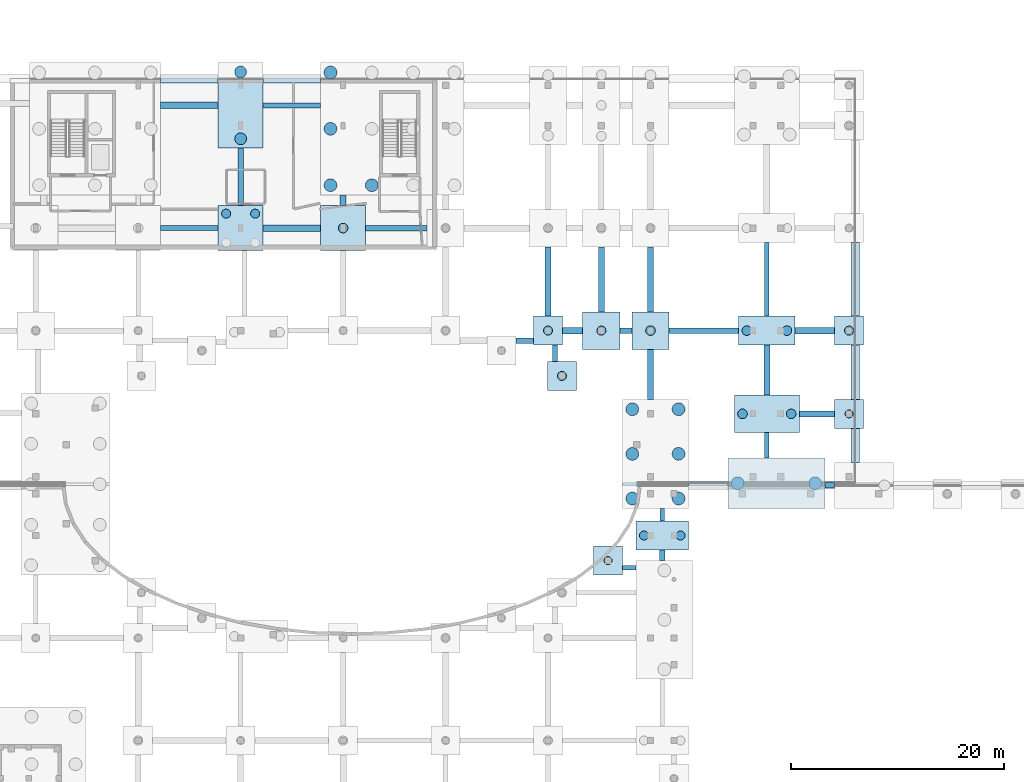
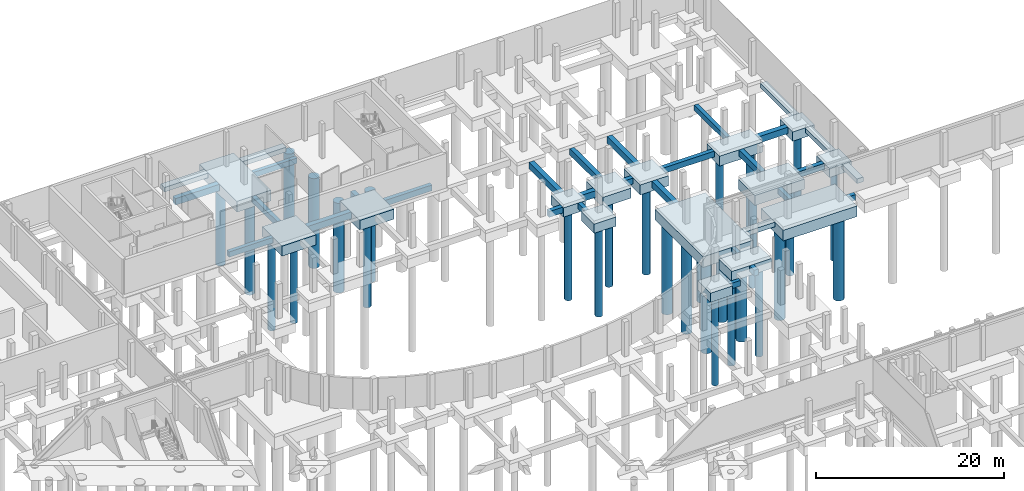
# One storey, part 8 of 40: 46 footings, 30 piles.
"""IFC4 building model written with IfcOpenShell, lengths in metres."""

from ifc_helpers import new_model, si_unit, direction, frame, origin, origin_2d, place, context, subcontext, project, spatial, polyline, circle, outline, extrude, material, material_profile, profile_set, type_object, element, save


model = new_model("IFC4")

# Units and contexts
model_context = context("Model", 3, precision=1e-05, world=origin(), true_north=direction((0.0, 1.0)))
body_context = subcontext(model_context, "Body", "Model", "MODEL_VIEW")
ifc_project = project(units=[si_unit("LENGTHUNIT", "METRE"), si_unit("AREAUNIT", "SQUARE_METRE"), si_unit("VOLUMEUNIT", "CUBIC_METRE"), si_unit("PLANEANGLEUNIT", "RADIAN"), si_unit("MASSUNIT", "GRAM", prefix="KILO")], contexts=[model_context])

# Site, building, storey
site_placement = place(None, origin())
site = spatial("IfcSite", under=ifc_project, at=site_placement, CompositionType="ELEMENT")
building_placement = place(site_placement, origin())
building = spatial("IfcBuilding", under=site, at=building_placement, Name="Mzevani Central Library", CompositionType="ELEMENT")
storey_placement = place(building_placement, frame((0.0, 0.0, -4.5)))
storey = spatial("IfcBuildingStorey", under=building, at=storey_placement, Name="B1", CompositionType="ELEMENT", Elevation=-4.5)

# Piles
ifc_material = material(Name="Concrete C40/50", Category="concrete")
ifc_material_profile_1 = material_profile(ifc_material, circle(Radius=0.550048828125, at=origin_2d()), Name="PILE D1100")
ifc_profile_set_1 = profile_set([ifc_material_profile_1], Name="Concrete C40/50")
pile_type_1 = type_object("IfcPileType", Name="Bored Pile D1100", PredefinedType="BORED", material=ifc_profile_set_1)
for number, where, z_axis, x_axis, name in (
    (1, (73.60009765625, 108.3701171875, -1.719970703125), (0.0, 0.0, -1.0), (1.0, 0.0, 0.0), "B1 Bored Pile P-05 (173)"),
    (2, (73.60009765625, 114.6298828125, -1.719970703125), (0.0, 0.0, -1.0), (1.0, 0.0, 0.0), "B1 Bored Pile P-05 (174)"),
):
    element("IfcPile", number, at=place(storey_placement, frame(where, z_axis=z_axis, x_axis=x_axis)), inside=storey, type_object=pile_type_1, Name=name, PredefinedType="BORED", context=body_context, shape_type="SweptSolid", body=[
        extrude(circle(Radius=0.550048828125, at=origin_2d()), origin(), (0.0, 0.0, 1.0), 11.780029296875),
    ])
ifc_material_profile_2 = material_profile(ifc_material, circle(Radius=0.60009765625, at=origin_2d()), Name="PILE D1200")
ifc_profile_set_2 = profile_set([ifc_material_profile_2], Name="Concrete C40/50")
pile_type_2 = type_object("IfcPileType", Name="Bored Pile D1200", PredefinedType="BORED", material=ifc_profile_set_2)
for number, where, z_axis, x_axis, name in (
    (3, (110.299072265625, 74.669921875, -1.719970703125), (0.0, 0.0, -1.0), (1.0, 0.0, 0.0), "B1 Bored Pile P-06 (61)"),
    (4, (110.299072265625, 78.85009765625, -1.719970703125), (0.0, 0.0, -1.0), (1.0, 0.0, 0.0), "B1 Bored Pile P-06 (62)"),
    (5, (110.299072265625, 83.030029296875, -1.719970703125), (0.0, 0.0, -1.0), (1.0, 0.0, 0.0), "B1 Bored Pile P-06 (63)"),
    (6, (114.6298828125, 74.669921875, -1.719970703125), (0.0, 0.0, -1.0), (1.0, 0.0, 0.0), "B1 Bored Pile P-06 (64)"),
    (7, (114.6298828125, 78.85009765625, -1.719970703125), (0.0, 0.0, -1.0), (1.0, 0.0, 0.0), "B1 Bored Pile P-06 (65)"),
    (8, (114.6298828125, 83.030029296875, -1.719970703125), (0.0, 0.0, -1.0), (1.0, 0.0, 0.0), "B1 Bored Pile P-06 (66)"),
    (9, (120.169921875, 76.10009765625, -1.719970703125), (0.0, 0.0, -1.0), (1.0, 0.0, 0.0), "B1 Bored Pile P-06 (77)"),
    (10, (127.429931640625, 76.10009765625, -1.719970703125), (0.0, 0.0, -1.0), (1.0, 0.0, 0.0), "B1 Bored Pile P-06 (78)"),
):
    element("IfcPile", number, at=place(storey_placement, frame(where, z_axis=z_axis, x_axis=x_axis)), inside=storey, type_object=pile_type_2, Name=name, PredefinedType="BORED", context=body_context, shape_type="SweptSolid", body=[
        extrude(circle(Radius=0.60009765625, at=origin_2d()), origin(), (0.0, 0.0, 1.0), 11.780029296875),
    ])
for number, where, z_axis, x_axis, name in (
    (11, (82.02001953125, 104.02001953125, -1.820068359375), (0.0, 0.0, -1.0), (1.0, 0.0, 0.0), "B1 Bored Pile P-06 (177)"),
    (12, (82.02001953125, 109.300048828125, -1.820068359375), (0.0, 0.0, -1.0), (1.0, 0.0, 0.0), "B1 Bored Pile P-06 (178)"),
    (13, (82.02001953125, 114.580078125, -1.820068359375), (0.0, 0.0, -1.0), (1.0, 0.0, 0.0), "B1 Bored Pile P-06 (179)"),
    (14, (85.889892578125, 104.02001953125, -1.820068359375), (0.0, 0.0, -1.0), (1.0, 0.0, 0.0), "B1 Bored Pile P-06 (180)"),
):
    element("IfcPile", number, at=place(storey_placement, frame(where, z_axis=z_axis, x_axis=x_axis)), inside=storey, type_object=pile_type_2, Name=name, PredefinedType="BORED", context=body_context, shape_type="SweptSolid", body=[
        extrude(circle(Radius=0.60009765625, at=origin_2d()), origin(), (0.0, 0.0, 1.0), 11.679931640625),
    ])
ifc_material_profile_3 = material_profile(ifc_material, circle(Radius=0.375, at=origin_2d()), Name="PILE D750")
ifc_profile_set_3 = profile_set([ifc_material_profile_3], Name="Concrete C40/50")
pile_type_3 = type_object("IfcPileType", Name="Bored Pile D750", PredefinedType="BORED", material=ifc_profile_set_3)
for number, where, z_axis, x_axis, name in (
    (15, (108.02392578125, 68.85107421875, -1.52001953125), (0.0, 0.0, -1.0), (1.0, 0.0, 0.0), "B1 Bored Pile P-01 (94)"),
    (16, (130.60009765625, 82.60009765625, -1.52001953125), (0.0, 0.0, -1.0), (1.0, 0.0, 0.0), "B1 Bored Pile P-01 (214)"),
):
    element("IfcPile", number, at=place(storey_placement, frame(where, z_axis=z_axis, x_axis=x_axis)), inside=storey, type_object=pile_type_3, Name=name, PredefinedType="BORED", context=body_context, shape_type="SweptSolid", body=[
        extrude(circle(Radius=0.375, at=origin_2d()), origin(), (0.0, 0.0, 1.0), 11.97998046875),
    ])
ifc_material_profile_4 = material_profile(ifc_material, circle(Radius=0.425048828125, at=origin_2d()), Name="PILE D850")
ifc_profile_set_4 = profile_set([ifc_material_profile_4], Name="Concrete C40/50")
pile_type_4 = type_object("IfcPileType", Name="Bored Pile D850", PredefinedType="BORED", material=ifc_profile_set_4)
for number, where, z_axis, x_axis, name in (
    (17, (111.39501953125, 71.199951171875, -1.6201171875), (0.0, 0.0, -1.0), (1.0, 0.0, 0.0), "B1 Bored Pile P-02 (59)"),
    (18, (114.804931640625, 71.199951171875, -1.6201171875), (0.0, 0.0, -1.0), (1.0, 0.0, 0.0), "B1 Bored Pile P-02 (60)"),
    (19, (72.2451171875, 101.35498046875, -1.6201171875), (0.0, 0.0, -1.0), (1.0, 0.0, 0.0), "B1 Bored Pile P-02 (170)"),
    (20, (74.955078125, 101.35498046875, -1.6201171875), (0.0, 0.0, -1.0), (1.0, 0.0, 0.0), "B1 Bored Pile P-02 (172)"),
):
    element("IfcPile", number, at=place(storey_placement, frame(where, z_axis=z_axis, x_axis=x_axis)), inside=storey, type_object=pile_type_4, Name=name, PredefinedType="BORED", context=body_context, shape_type="SweptSolid", body=[
        extrude(circle(Radius=0.425048828125, at=origin_2d()), origin(), (0.0, 0.0, 1.0), 11.8798828125),
    ])
pile_1_placement = place(storey_placement, frame((102.39990234375, 90.39990234375, -1.52001953125), z_axis=(0.0, 0.0, -1.0), x_axis=(1.0, 0.0, 0.0)))
element("IfcPile", 21, at=pile_1_placement, inside=storey, type_object=pile_type_4, Name="B1 Bored Pile P-02 (191)", PredefinedType="BORED", context=body_context, shape_type="SweptSolid", body=[
    extrude(circle(Radius=0.425048828125, at=origin_2d()), origin(), (0.0, 0.0, 1.0), 11.97998046875),
])
pile_2_placement = place(storey_placement, frame((107.39990234375, 90.39990234375, -1.6201171875), z_axis=(0.0, 0.0, -1.0), x_axis=(1.0, 0.0, 0.0)))
element("IfcPile", 22, at=pile_2_placement, inside=storey, type_object=pile_type_4, Name="B1 Bored Pile P-02 (195)", PredefinedType="BORED", context=body_context, shape_type="SweptSolid", body=[
    extrude(circle(Radius=0.425048828125, at=origin_2d()), origin(), (0.0, 0.0, 1.0), 11.8798828125),
])
for number, where, z_axis, x_axis, name in (
    (23, (130.60009765625, 90.39990234375, -1.52001953125), (0.0, 0.0, -1.0), (1.0, 0.0, 0.0), "B1 Bored Pile P-02 (215)"),
    (24, (103.7060546875, 86.156005859375, -1.52001953125), (0.0, 0.0, -1.0), (1.0, 0.0, 0.0), "B1 Bored Pile P-02 (219)"),
):
    element("IfcPile", number, at=place(storey_placement, frame(where, z_axis=z_axis, x_axis=x_axis)), inside=storey, type_object=pile_type_4, Name=name, PredefinedType="BORED", context=body_context, shape_type="SweptSolid", body=[
        extrude(circle(Radius=0.425048828125, at=origin_2d()), origin(), (0.0, 0.0, 1.0), 11.97998046875),
    ])
ifc_material_profile_5 = material_profile(ifc_material, circle(Radius=0.449951171875, at=origin_2d()), Name="PILE D900")
ifc_profile_set_5 = profile_set([ifc_material_profile_5], Name="Concrete C40/50")
pile_type_5 = type_object("IfcPileType", Name="Bored Pile D900", PredefinedType="BORED", material=ifc_profile_set_5)
for number, where, z_axis, x_axis, name in (
    (25, (83.199951171875, 100.0, -1.6201171875), (0.0, 0.0, -1.0), (1.0, 0.0, 0.0), "B1 Bored Pile P-03 (176)"),
    (26, (112.0, 90.39990234375, -1.6201171875), (0.0, 0.0, -1.0), (1.0, 0.0, 0.0), "B1 Bored Pile P-03 (200)"),
    (27, (120.6201171875, 82.60009765625, -1.6201171875), (0.0, 0.0, -1.0), (1.0, 0.0, 0.0), "B1 Bored Pile P-03 (204)"),
    (28, (125.179931640625, 82.60009765625, -1.6201171875), (0.0, 0.0, -1.0), (1.0, 0.0, 0.0), "B1 Bored Pile P-03 (205)"),
    (29, (121.02001953125, 90.39990234375, -1.6201171875), (0.0, 0.0, -1.0), (1.0, 0.0, 0.0), "B1 Bored Pile P-03 (206)"),
    (30, (124.780029296875, 90.39990234375, -1.6201171875), (0.0, 0.0, -1.0), (1.0, 0.0, 0.0), "B1 Bored Pile P-03 (207)"),
):
    element("IfcPile", number, at=place(storey_placement, frame(where, z_axis=z_axis, x_axis=x_axis)), inside=storey, type_object=pile_type_5, Name=name, PredefinedType="BORED", context=body_context, shape_type="SweptSolid", body=[
        extrude(circle(Radius=0.449951171875, at=origin_2d()), origin(), (0.0, 0.0, 1.0), 11.8798828125),
    ])

# Footings
footing_type_1 = type_object("IfcFootingType", Name="Ground Tie Beam RC 450x700", PredefinedType="FOOTING_BEAM", material=ifc_material)
footing_1_placement = place(storey_placement, frame((0.0, 0.0, -1.1201171875)))
element("IfcFooting", 31, at=footing_1_placement, inside=storey, type_object=footing_type_1, Name="MAT Ground Tie Beam GB-01 (49)", PredefinedType="FOOTING_BEAM", context=body_context, shape_type="SweptSolid", body=[
    extrude(outline(polyline([(66.10009765625, 99.77490234375), (71.5, 99.77490234375), (71.5, 100.22509765625), (66.10009765625, 100.22509765625), (66.10009765625, 99.77490234375)])), origin(), (0.0, 0.0, 1.0), 0.7001953125),
])
footing_2_placement = place(storey_placement, frame((0.0, 0.0, -1.1201171875)))
element("IfcFooting", 32, at=footing_2_placement, inside=storey, type_object=footing_type_1, Name="MAT Ground Tie Beam GB-01 (57)", PredefinedType="FOOTING_BEAM", context=body_context, shape_type="SweptSolid", body=[
    extrude(outline(polyline([(75.699951171875, 111.27490234375), (81.10009765625, 111.27490234375), (81.10009765625, 111.72509765625), (75.699951171875, 111.72509765625), (75.699951171875, 111.27490234375)])), origin(), (0.0, 0.0, 1.0), 0.7001953125),
])
footing_3_placement = place(storey_placement, frame((0.0, 0.0, -1.1201171875)))
element("IfcFooting", 33, at=footing_3_placement, inside=storey, type_object=footing_type_1, Name="MAT Ground Tie Beam GB-01 (85)", PredefinedType="FOOTING_BEAM", context=body_context, shape_type="SweptSolid", body=[
    extrude(outline(polyline([(109.3740234375, 67.950439453125), (110.64990234375, 67.950439453125), (110.64990234375, 68.400390625), (109.3740234375, 68.400390625), (109.3740234375, 67.950439453125)])), origin(), (0.0, 0.0, 1.0), 0.7001953125),
])
footing_4_placement = place(storey_placement, frame((0.0, 0.0, -1.1201171875)))
element("IfcFooting", 34, at=footing_4_placement, inside=storey, type_object=footing_type_1, Name="MAT Ground Tie Beam GB-01 (185)", PredefinedType="FOOTING_BEAM", context=body_context, shape_type="SweptSolid", body=[
    extrude(outline(polyline([(112.875, 72.550048828125), (113.324951171875, 72.550048828125), (113.324951171875, 73.75), (112.875, 73.75), (112.875, 72.550048828125)])), origin(), (0.0, 0.0, 1.0), 0.7001953125),
])
footing_5_placement = place(storey_placement, frame((0.0, 0.0, -1.1201171875)))
element("IfcFooting", 35, at=footing_5_placement, inside=storey, type_object=footing_type_1, Name="MAT Ground Tie Beam GB-01 (189)", PredefinedType="FOOTING_BEAM", context=body_context, shape_type="SweptSolid", body=[
    extrude(outline(polyline([(122.675048828125, 78.449951171875), (123.125, 78.449951171875), (123.125, 80.85009765625), (122.675048828125, 80.85009765625), (122.675048828125, 78.449951171875)])), origin(), (0.0, 0.0, 1.0), 0.7001953125),
])
footing_6_placement = place(storey_placement, frame((0.0, 0.0, -1.1201171875)))
element("IfcFooting", 36, at=footing_6_placement, inside=storey, type_object=footing_type_1, Name="MAT Ground Tie Beam GB-01 (197)", PredefinedType="FOOTING_BEAM", context=body_context, shape_type="SweptSolid", body=[
    extrude(outline(polyline([(102.827880859375, 87.506103515625), (103.278076171875, 87.506103515625), (103.278076171875, 89.050048828125), (102.827880859375, 89.050048828125), (102.827880859375, 87.506103515625)])), origin(), (0.0, 0.0, 1.0), 0.7001953125),
])
footing_7_placement = place(storey_placement, frame((0.0, 0.0, -1.1201171875)))
element("IfcFooting", 37, at=footing_7_placement, inside=storey, type_object=footing_type_1, Name="MAT Ground Tie Beam GB-01 (209)", PredefinedType="FOOTING_BEAM", context=body_context, shape_type="SweptSolid", body=[
    extrude(outline(polyline([(122.675048828125, 91.75), (123.125, 91.75), (123.125, 98.64990234375), (122.675048828125, 98.64990234375), (122.675048828125, 91.75)])), origin(), (0.0, 0.0, 1.0), 0.7001953125),
])
footing_type_2 = type_object("IfcFootingType", Name="Ground Tie Beam RC 500x750", PredefinedType="FOOTING_BEAM", material=ifc_material)
footing_8_placement = place(storey_placement, frame((0.0, 0.0, -1.169921875)))
element("IfcFooting", 38, at=footing_8_placement, inside=storey, type_object=footing_type_2, Name="MAT Ground Tie Beam GB-02 (62)", PredefinedType="FOOTING_BEAM", context=body_context, shape_type="SweptSolid", body=[
    extrude(outline(polyline([(85.300048828125, 99.75), (91.050048828125, 99.75), (91.050048828125, 100.25), (85.300048828125, 100.25), (85.300048828125, 99.75)])), origin(), (0.0, 0.0, 1.0), 0.75),
])
footing_9_placement = place(storey_placement, frame((0.0, 0.0, -1.169921875)))
element("IfcFooting", 39, at=footing_9_placement, inside=storey, type_object=footing_type_2, Name="MAT Ground Tie Beam GB-02 (74)", PredefinedType="FOOTING_BEAM", context=body_context, shape_type="SweptSolid", body=[
    extrude(outline(polyline([(99.384033203125, 89.214111328125), (101.050048828125, 89.214111328125), (101.050048828125, 89.714111328125), (99.384033203125, 89.714111328125), (99.384033203125, 89.214111328125)])), origin(), (0.0, 0.0, 1.0), 0.75),
])
footing_10_placement = place(storey_placement, frame((0.0, 0.0, -1.169921875)))
element("IfcFooting", 40, at=footing_10_placement, inside=storey, type_object=footing_type_2, Name="MAT Ground Tie Beam GB-02 (82)", PredefinedType="FOOTING_BEAM", context=body_context, shape_type="SweptSolid", body=[
    extrude(outline(polyline([(109.14990234375, 90.14990234375), (110.25, 90.14990234375), (110.25, 90.64990234375), (109.14990234375, 90.64990234375), (109.14990234375, 90.14990234375)])), origin(), (0.0, 0.0, 1.0), 0.75),
])
footing_11_placement = place(storey_placement, frame((0.0, 0.0, -1.169921875)))
element("IfcFooting", 41, at=footing_11_placement, inside=storey, type_object=footing_type_2, Name="MAT Ground Tie Beam GB-02 (90)", PredefinedType="FOOTING_BEAM", context=body_context, shape_type="SweptSolid", body=[
    extrude(outline(polyline([(113.75, 90.14990234375), (120.25, 90.14990234375), (120.25, 90.64990234375), (113.75, 90.64990234375), (113.75, 90.14990234375)])), origin(), (0.0, 0.0, 1.0), 0.75),
])
footing_12_placement = place(storey_placement, frame((0.0, 0.0, -1.169921875)))
element("IfcFooting", 42, at=footing_12_placement, inside=storey, type_object=footing_type_2, Name="MAT Ground Tie Beam GB-02 (98)", PredefinedType="FOOTING_BEAM", context=body_context, shape_type="SweptSolid", body=[
    extrude(outline(polyline([(128.35009765625, 75.64990234375), (129.25, 75.64990234375), (129.25, 76.14990234375), (128.35009765625, 76.14990234375), (128.35009765625, 75.64990234375)])), origin(), (0.0, 0.0, 1.0), 0.75),
])
footing_13_placement = place(storey_placement, frame((0.0, 0.0, -1.169921875)))
element("IfcFooting", 43, at=footing_13_placement, inside=storey, type_object=footing_type_2, Name="MAT Ground Tie Beam GB-02 (170)", PredefinedType="FOOTING_BEAM", context=body_context, shape_type="SweptSolid", body=[
    extrude(outline(polyline([(112.85009765625, 68.85009765625), (113.35009765625, 68.85009765625), (113.35009765625, 69.85009765625), (112.85009765625, 69.85009765625), (112.85009765625, 68.85009765625)])), origin(), (0.0, 0.0, 1.0), 0.75),
])
footing_14_placement = place(storey_placement, frame((0.0, 0.0, -1.169921875)))
element("IfcFooting", 44, at=footing_14_placement, inside=storey, type_object=footing_type_2, Name="MAT Ground Tie Beam GB-02 (214)", PredefinedType="FOOTING_BEAM", context=body_context, shape_type="SweptSolid", body=[
    extrude(outline(polyline([(73.35009765625, 102.10009765625), (73.85009765625, 102.10009765625), (73.85009765625, 107.5), (73.35009765625, 107.5), (73.35009765625, 102.10009765625)])), origin(), (0.0, 0.0, 1.0), 0.75),
])
footing_type_3 = type_object("IfcFootingType", Name="Ground Tie Beam RC 550x800", PredefinedType="FOOTING_BEAM", material=ifc_material)
footing_15_placement = place(storey_placement, frame((0.0, 0.0, -1.219970703125)))
element("IfcFooting", 45, at=footing_15_placement, inside=storey, type_object=footing_type_3, Name="MAT Ground Tie Beam GB-03 (99)", PredefinedType="FOOTING_BEAM", context=body_context, shape_type="SweptSolid", body=[
    extrude(outline(polyline([(125.949951171875, 82.324951171875), (129.25, 82.324951171875), (129.25, 82.875), (125.949951171875, 82.875), (125.949951171875, 82.324951171875)])), origin(), (0.0, 0.0, 1.0), 0.800048828125),
])
footing_16_placement = place(storey_placement, frame((0.0, 0.0, -1.219970703125)))
element("IfcFooting", 46, at=footing_16_placement, inside=storey, type_object=footing_type_3, Name="MAT Ground Tie Beam GB-03 (191)", PredefinedType="FOOTING_BEAM", context=body_context, shape_type="SweptSolid", body=[
    extrude(outline(polyline([(122.625, 84.35009765625), (123.175048828125, 84.35009765625), (123.175048828125, 89.050048828125), (122.625, 89.050048828125), (122.625, 84.35009765625)])), origin(), (0.0, 0.0, 1.0), 0.800048828125),
])
footing_17_placement = place(storey_placement, frame((0.0, 0.0, -1.219970703125)))
element("IfcFooting", 47, at=footing_17_placement, inside=storey, type_object=footing_type_3, Name="MAT Ground Tie Beam GB-03 (199)", PredefinedType="FOOTING_BEAM", context=body_context, shape_type="SweptSolid", body=[
    extrude(outline(polyline([(107.125, 92.14990234375), (107.675048828125, 92.14990234375), (107.675048828125, 98.25), (107.125, 98.25), (107.125, 92.14990234375)])), origin(), (0.0, 0.0, 1.0), 0.800048828125),
])
footing_18_placement = place(storey_placement, frame((0.0, 0.0, -1.219970703125)))
element("IfcFooting", 48, at=footing_18_placement, inside=storey, type_object=footing_type_3, Name="MAT Ground Tie Beam GB-03 (215)", PredefinedType="FOOTING_BEAM", context=body_context, shape_type="SweptSolid", body=[
    extrude(outline(polyline([(82.925048828125, 102.10009765625), (83.47509765625, 102.10009765625), (83.47509765625, 103.10009765625), (82.925048828125, 103.10009765625), (82.925048828125, 102.10009765625)])), origin(), (0.0, 0.0, 1.0), 0.800048828125),
])
footing_type_4 = type_object("IfcFootingType", Name="Ground Tie Beam RC 600x850", PredefinedType="FOOTING_BEAM", material=ifc_material)
footing_19_placement = place(storey_placement, frame((0.0, 0.0, -1.27001953125)))
element("IfcFooting", 49, at=footing_19_placement, inside=storey, type_object=footing_type_4, Name="MAT Ground Tie Beam GB-04 (48)", PredefinedType="FOOTING_BEAM", context=body_context, shape_type="SweptSolid", body=[
    extrude(outline(polyline([(66.10009765625, 111.199951171875), (71.5, 111.199951171875), (71.5, 111.800048828125), (66.10009765625, 111.800048828125), (66.10009765625, 111.199951171875)])), origin(), (0.0, 0.0, 1.0), 0.85009765625),
])
footing_20_placement = place(storey_placement, frame((0.0, 0.0, -1.27001953125)))
element("IfcFooting", 50, at=footing_20_placement, inside=storey, type_object=footing_type_4, Name="MAT Ground Tie Beam GB-04 (56)", PredefinedType="FOOTING_BEAM", context=body_context, shape_type="SweptSolid", body=[
    extrude(outline(polyline([(75.699951171875, 99.699951171875), (81.10009765625, 99.699951171875), (81.10009765625, 100.300048828125), (75.699951171875, 100.300048828125), (75.699951171875, 99.699951171875)])), origin(), (0.0, 0.0, 1.0), 0.85009765625),
])
footing_21_placement = place(storey_placement, frame((0.0, 0.0, -1.27001953125)))
element("IfcFooting", 51, at=footing_21_placement, inside=storey, type_object=footing_type_4, Name="MAT Ground Tie Beam GB-04 (80)", PredefinedType="FOOTING_BEAM", context=body_context, shape_type="SweptSolid", body=[
    extrude(outline(polyline([(103.75, 90.10009765625), (105.64990234375, 90.10009765625), (105.64990234375, 90.699951171875), (103.75, 90.699951171875), (103.75, 90.10009765625)])), origin(), (0.0, 0.0, 1.0), 0.85009765625),
])
footing_22_placement = place(storey_placement, frame((0.0, 0.0, -1.27001953125)))
element("IfcFooting", 52, at=footing_22_placement, inside=storey, type_object=footing_type_4, Name="MAT Ground Tie Beam GB-04 (104)", PredefinedType="FOOTING_BEAM", context=body_context, shape_type="SweptSolid", body=[
    extrude(outline(polyline([(125.550048828125, 90.10009765625), (129.25, 90.10009765625), (129.25, 90.699951171875), (125.550048828125, 90.699951171875), (125.550048828125, 90.10009765625)])), origin(), (0.0, 0.0, 1.0), 0.85009765625),
])
footing_23_placement = place(storey_placement, frame((0.0, 0.0, -1.27001953125)))
element("IfcFooting", 53, at=footing_23_placement, inside=storey, type_object=footing_type_4, Name="MAT Ground Tie Beam GB-04 (188)", PredefinedType="FOOTING_BEAM", context=body_context, shape_type="SweptSolid", body=[
    extrude(outline(polyline([(111.699951171875, 83.949951171875), (112.300048828125, 83.949951171875), (112.300048828125, 88.64990234375), (111.699951171875, 88.64990234375), (111.699951171875, 83.949951171875)])), origin(), (0.0, 0.0, 1.0), 0.85009765625),
])
footing_24_placement = place(storey_placement, frame((0.0, 0.0, -1.27001953125)))
element("IfcFooting", 54, at=footing_24_placement, inside=storey, type_object=footing_type_4, Name="MAT Ground Tie Beam GB-04 (200)", PredefinedType="FOOTING_BEAM", context=body_context, shape_type="SweptSolid", body=[
    extrude(outline(polyline([(111.699951171875, 92.14990234375), (112.300048828125, 92.14990234375), (112.300048828125, 98.25), (111.699951171875, 98.25), (111.699951171875, 92.14990234375)])), origin(), (0.0, 0.0, 1.0), 0.85009765625),
])
footing_25_placement = place(storey_placement, frame((0.0, 0.0, -1.27001953125)))
element("IfcFooting", 55, at=footing_25_placement, inside=storey, type_object=footing_type_4, Name="MAT Ground Tie Beam GB-04 (208)", PredefinedType="FOOTING_BEAM", context=body_context, shape_type="SweptSolid", body=[
    extrude(outline(polyline([(102.10009765625, 91.75), (102.699951171875, 91.75), (102.699951171875, 98.25), (102.10009765625, 98.25), (102.10009765625, 91.75)])), origin(), (0.0, 0.0, 1.0), 0.85009765625),
])
footing_type_5 = type_object("IfcFootingType", Name="Perimeter Strip Footing RC 800x600", PredefinedType="STRIP_FOOTING", material=ifc_material)
footing_26_placement = place(storey_placement, frame((0.0, 0.0, -1.02001953125)))
element("IfcFooting", 56, at=footing_26_placement, inside=storey, type_object=footing_type_5, Name="B1 Perimeter Strip Footing SF-01 (19)", PredefinedType="STRIP_FOOTING", context=body_context, shape_type="SweptSolid", body=[
    extrude(outline(polyline([(115.550048828125, 76.300048828125), (119.25, 76.300048828125), (119.25, 75.5), (115.550048828125, 75.5), (115.550048828125, 76.300048828125)])), origin(), (0.0, 0.0, 1.0), 0.60009765625),
])
footing_27_placement = place(storey_placement, frame((0.0, 0.0, -1.02001953125)))
element("IfcFooting", 57, at=footing_27_placement, inside=storey, type_object=footing_type_5, Name="B1 Perimeter Strip Footing SF-01 (38)", PredefinedType="STRIP_FOOTING", context=body_context, shape_type="SweptSolid", body=[
    extrude(outline(polyline([(75.699951171875, 114.39990234375), (81.10009765625, 114.39990234375), (81.10009765625, 113.60009765625), (75.699951171875, 113.60009765625), (75.699951171875, 114.39990234375)])), origin(), (0.0, 0.0, 1.0), 0.60009765625),
])
footing_28_placement = place(storey_placement, frame((0.0, 0.0, -1.02001953125)))
element("IfcFooting", 58, at=footing_28_placement, inside=storey, type_object=footing_type_5, Name="B1 Perimeter Strip Footing SF-01 (39)", PredefinedType="STRIP_FOOTING", context=body_context, shape_type="SweptSolid", body=[
    extrude(outline(polyline([(66.10009765625, 114.39990234375), (71.5, 114.39990234375), (71.5, 113.60009765625), (66.10009765625, 113.60009765625), (66.10009765625, 114.39990234375)])), origin(), (0.0, 0.0, 1.0), 0.60009765625),
])
footing_29_placement = place(storey_placement, frame((0.0, 0.0, -1.02001953125)))
element("IfcFooting", 59, at=footing_29_placement, inside=storey, type_object=footing_type_5, Name="B1 Perimeter Strip Footing SF-01 (41)", PredefinedType="STRIP_FOOTING", context=body_context, shape_type="SweptSolid", body=[
    extrude(outline(polyline([(131.60009765625, 81.25), (131.60009765625, 78.050048828125), (130.800048828125, 78.050048828125), (130.800048828125, 81.25), (131.60009765625, 81.25)])), origin(), (0.0, 0.0, 1.0), 0.60009765625),
])
footing_30_placement = place(storey_placement, frame((0.0, 0.0, -1.02001953125)))
element("IfcFooting", 60, at=footing_30_placement, inside=storey, type_object=footing_type_5, Name="B1 Perimeter Strip Footing SF-01 (42)", PredefinedType="STRIP_FOOTING", context=body_context, shape_type="SweptSolid", body=[
    extrude(outline(polyline([(131.60009765625, 89.050048828125), (131.60009765625, 83.949951171875), (130.800048828125, 83.949951171875), (130.800048828125, 89.050048828125), (131.60009765625, 89.050048828125)])), origin(), (0.0, 0.0, 1.0), 0.60009765625),
])
footing_31_placement = place(storey_placement, frame((0.0, 0.0, -1.02001953125)))
element("IfcFooting", 61, at=footing_31_placement, inside=storey, type_object=footing_type_5, Name="B1 Perimeter Strip Footing SF-01 (43)", PredefinedType="STRIP_FOOTING", context=body_context, shape_type="SweptSolid", body=[
    extrude(outline(polyline([(131.60009765625, 98.64990234375), (131.60009765625, 91.75), (130.800048828125, 91.75), (130.800048828125, 98.64990234375), (131.60009765625, 98.64990234375)])), origin(), (0.0, 0.0, 1.0), 0.60009765625),
])
footing_type_6 = type_object("IfcFootingType", Name="Pile Cap RC 10200x6170x1400", PredefinedType="PILE_CAP", material=ifc_material)
footing_32_placement = place(storey_placement, frame((0.0, 0.0, -1.820068359375)))
element("IfcFooting", 62, at=footing_32_placement, inside=storey, type_object=footing_type_6, Name="B1 Pile Cap PC-08 (23)", PredefinedType="PILE_CAP", context=body_context, shape_type="SweptSolid", body=[
    extrude(outline(polyline([(109.37890625, 73.75), (115.550048828125, 73.75), (115.550048828125, 83.949951171875), (109.37890625, 83.949951171875), (109.37890625, 73.75)])), origin(), (0.0, 0.0, 1.0), 1.400146484375),
])
footing_type_7 = type_object("IfcFootingType", Name="Pile Cap RC 2700x2700x1200", PredefinedType="PILE_CAP", material=ifc_material)
footing_33_placement = place(storey_placement, frame((0.0, 0.0, -1.6201171875)))
element("IfcFooting", 63, at=footing_33_placement, inside=storey, type_object=footing_type_7, Name="B1 Pile Cap PC-02 (46)", PredefinedType="PILE_CAP", context=body_context, shape_type="SweptSolid", body=[
    extrude(outline(polyline([(106.674072265625, 67.5009765625), (109.3740234375, 67.5009765625), (109.3740234375, 70.200927734375), (106.674072265625, 70.200927734375), (106.674072265625, 67.5009765625)])), origin(), (0.0, 0.0, 1.0), 1.2001953125),
])
footing_34_placement = place(storey_placement, frame((0.0, 0.0, -1.6201171875)))
element("IfcFooting", 64, at=footing_34_placement, inside=storey, type_object=footing_type_7, Name="B1 Pile Cap PC-02 (85)", PredefinedType="PILE_CAP", context=body_context, shape_type="SweptSolid", body=[
    extrude(outline(polyline([(101.050048828125, 89.050048828125), (103.75, 89.050048828125), (103.75, 91.75), (101.050048828125, 91.75), (101.050048828125, 89.050048828125)])), origin(), (0.0, 0.0, 1.0), 1.2001953125),
])
footing_35_placement = place(storey_placement, frame((0.0, 0.0, -1.6201171875)))
element("IfcFooting", 65, at=footing_35_placement, inside=storey, type_object=footing_type_7, Name="B1 Pile Cap PC-02 (98)", PredefinedType="PILE_CAP", context=body_context, shape_type="SweptSolid", body=[
    extrude(outline(polyline([(129.25, 81.25), (131.949951171875, 81.25), (131.949951171875, 83.949951171875), (129.25, 83.949951171875), (129.25, 81.25)])), origin(), (0.0, 0.0, 1.0), 1.2001953125),
])
footing_36_placement = place(storey_placement, frame((0.0, 0.0, -1.6201171875)))
element("IfcFooting", 66, at=footing_36_placement, inside=storey, type_object=footing_type_7, Name="B1 Pile Cap PC-02 (99)", PredefinedType="PILE_CAP", context=body_context, shape_type="SweptSolid", body=[
    extrude(outline(polyline([(129.25, 89.050048828125), (131.949951171875, 89.050048828125), (131.949951171875, 91.75), (129.25, 91.75), (129.25, 89.050048828125)])), origin(), (0.0, 0.0, 1.0), 1.2001953125),
])
footing_37_placement = place(storey_placement, frame((0.0, 0.0, -1.6201171875)))
element("IfcFooting", 67, at=footing_37_placement, inside=storey, type_object=footing_type_7, Name="B1 Pile Cap PC-02 (103)", PredefinedType="PILE_CAP", context=body_context, shape_type="SweptSolid", body=[
    extrude(outline(polyline([(102.35595703125, 84.805908203125), (105.055908203125, 84.805908203125), (105.055908203125, 87.506103515625), (102.35595703125, 87.506103515625), (102.35595703125, 84.805908203125)])), origin(), (0.0, 0.0, 1.0), 1.2001953125),
])
footing_type_8 = type_object("IfcFootingType", Name="Pile Cap RC 3500x3500x1300", PredefinedType="PILE_CAP", material=ifc_material)
footing_38_placement = place(storey_placement, frame((0.0, 0.0, -1.719970703125)))
element("IfcFooting", 68, at=footing_38_placement, inside=storey, type_object=footing_type_8, Name="B1 Pile Cap PC-26 (88)", PredefinedType="PILE_CAP", context=body_context, shape_type="SweptSolid", body=[
    extrude(outline(polyline([(105.64990234375, 88.64990234375), (109.14990234375, 88.64990234375), (109.14990234375, 92.14990234375), (105.64990234375, 92.14990234375), (105.64990234375, 88.64990234375)])), origin(), (0.0, 0.0, 1.0), 1.300048828125),
])
footing_39_placement = place(storey_placement, frame((0.0, 0.0, -1.719970703125)))
element("IfcFooting", 69, at=footing_39_placement, inside=storey, type_object=footing_type_8, Name="B1 Pile Cap PC-26 (91)", PredefinedType="PILE_CAP", context=body_context, shape_type="SweptSolid", body=[
    extrude(outline(polyline([(110.25, 88.64990234375), (113.75, 88.64990234375), (113.75, 92.14990234375), (110.25, 92.14990234375), (110.25, 88.64990234375)])), origin(), (0.0, 0.0, 1.0), 1.300048828125),
])
footing_type_9 = type_object("IfcFootingType", Name="Pile Cap RC 4200x4200x1300", PredefinedType="PILE_CAP", material=ifc_material)
footing_40_placement = place(storey_placement, frame((0.0, 0.0, -1.719970703125)))
element("IfcFooting", 70, at=footing_40_placement, inside=storey, type_object=footing_type_9, Name="B1 Pile Cap PC-16 (78)", PredefinedType="PILE_CAP", context=body_context, shape_type="SweptSolid", body=[
    extrude(outline(polyline([(71.5, 97.89990234375), (75.699951171875, 97.89990234375), (75.699951171875, 102.10009765625), (71.5, 102.10009765625), (71.5, 97.89990234375)])), origin(), (0.0, 0.0, 1.0), 1.300048828125),
])
footing_41_placement = place(storey_placement, frame((0.0, 0.0, -1.719970703125)))
element("IfcFooting", 71, at=footing_41_placement, inside=storey, type_object=footing_type_9, Name="B1 Pile Cap PC-16 (81)", PredefinedType="PILE_CAP", context=body_context, shape_type="SweptSolid", body=[
    extrude(outline(polyline([(81.10009765625, 97.89990234375), (85.300048828125, 97.89990234375), (85.300048828125, 102.10009765625), (81.10009765625, 102.10009765625), (81.10009765625, 97.89990234375)])), origin(), (0.0, 0.0, 1.0), 1.300048828125),
])
footing_type_10 = type_object("IfcFootingType", Name="Pile Cap RC 4900x2700x1300", PredefinedType="PILE_CAP", material=ifc_material)
footing_42_placement = place(storey_placement, frame((0.0, 0.0, -1.719970703125)))
element("IfcFooting", 72, at=footing_42_placement, inside=storey, type_object=footing_type_10, Name="B1 Pile Cap PC-06 (22)", PredefinedType="PILE_CAP", context=body_context, shape_type="SweptSolid", body=[
    extrude(outline(polyline([(110.64990234375, 69.85009765625), (115.550048828125, 69.85009765625), (115.550048828125, 72.550048828125), (110.64990234375, 72.550048828125), (110.64990234375, 69.85009765625)])), origin(), (0.0, 0.0, 1.0), 1.300048828125),
])
footing_type_11 = type_object("IfcFootingType", Name="Pile Cap RC 5300x2700x1300", PredefinedType="PILE_CAP", material=ifc_material)
footing_43_placement = place(storey_placement, frame((0.0, 0.0, -1.719970703125)))
element("IfcFooting", 73, at=footing_43_placement, inside=storey, type_object=footing_type_11, Name="B1 Pile Cap PC-32 (95)", PredefinedType="PILE_CAP", context=body_context, shape_type="SweptSolid", body=[
    extrude(outline(polyline([(120.25, 89.050048828125), (125.550048828125, 89.050048828125), (125.550048828125, 91.75), (120.25, 91.75), (120.25, 89.050048828125)])), origin(), (0.0, 0.0, 1.0), 1.300048828125),
])
footing_type_12 = type_object("IfcFootingType", Name="Pile Cap RC 6100x3500x1300", PredefinedType="PILE_CAP", material=ifc_material)
footing_44_placement = place(storey_placement, frame((0.0, 0.0, -1.719970703125)))
element("IfcFooting", 74, at=footing_44_placement, inside=storey, type_object=footing_type_12, Name="B1 Pile Cap PC-31 (94)", PredefinedType="PILE_CAP", context=body_context, shape_type="SweptSolid", body=[
    extrude(outline(polyline([(119.85009765625, 80.85009765625), (125.949951171875, 80.85009765625), (125.949951171875, 84.35009765625), (119.85009765625, 84.35009765625), (119.85009765625, 80.85009765625)])), origin(), (0.0, 0.0, 1.0), 1.300048828125),
])
footing_type_13 = type_object("IfcFootingType", Name="Pile Cap RC 8000x4200x1400", PredefinedType="PILE_CAP", material=ifc_material)
footing_45_placement = place(storey_placement, frame((0.0, 0.0, -1.820068359375)))
element("IfcFooting", 75, at=footing_45_placement, inside=storey, type_object=footing_type_13, Name="B1 Pile Cap PC-28 (79)", PredefinedType="PILE_CAP", context=body_context, shape_type="SweptSolid", body=[
    extrude(outline(polyline([(71.5, 107.5), (75.699951171875, 107.5), (75.699951171875, 115.5), (71.5, 115.5), (71.5, 107.5)])), origin(), (0.0, 0.0, 1.0), 1.400146484375),
])
footing_type_14 = type_object("IfcFootingType", Name="Pile Cap RC 9100x4700x1400", PredefinedType="PILE_CAP", material=ifc_material)
footing_46_placement = place(storey_placement, frame((0.0, 0.0, -1.820068359375)))
element("IfcFooting", 76, at=footing_46_placement, inside=storey, type_object=footing_type_14, Name="B1 Pile Cap PC-11 (31)", PredefinedType="PILE_CAP", context=body_context, shape_type="SweptSolid", body=[
    extrude(outline(polyline([(119.25, 73.75), (128.35009765625, 73.75), (128.35009765625, 78.449951171875), (119.25, 78.449951171875), (119.25, 73.75)])), origin(), (0.0, 0.0, 1.0), 1.400146484375),
])

save(model, "model.ifc")
